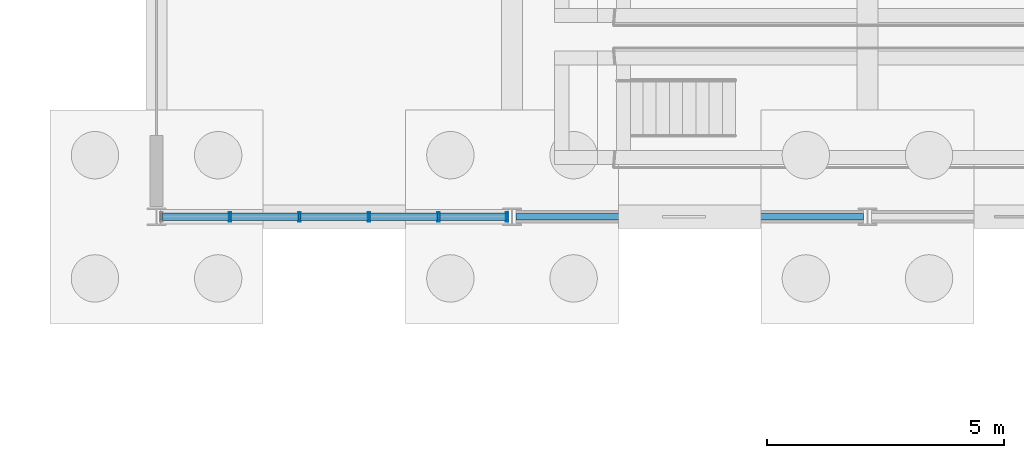
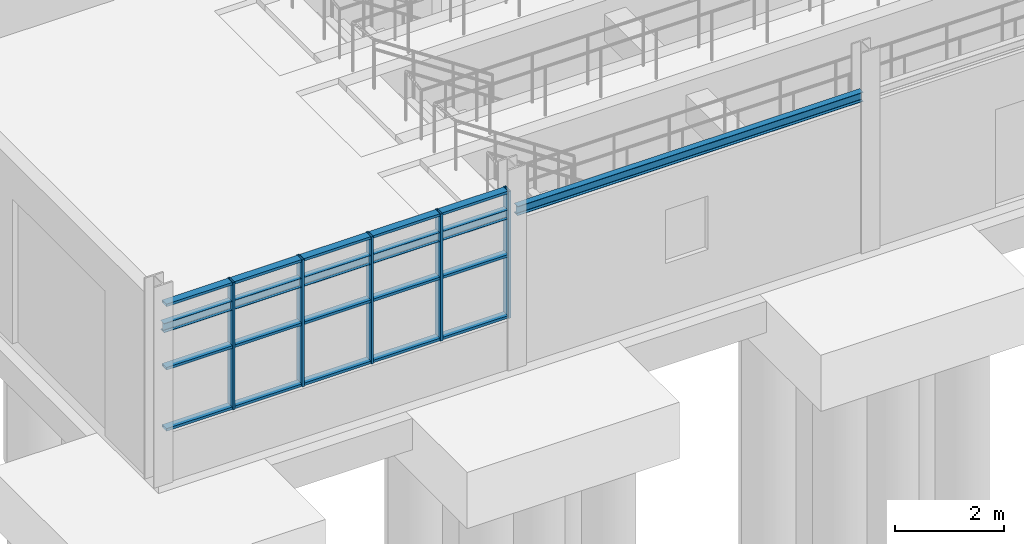
# One storey, part 41 of 136: 20 members, 2 beams, 1 element without a shape of its own.
"""IFC4 building model written with IfcOpenShell, lengths in metres."""

from ifc_helpers import new_model, si_unit, direction, frame, origin, origin_2d, place, context, subcontext, project, spatial, hollow_rectangle, i_section, extrude, material, layer, layer_set, material_profile, profile_set, type_object, element, aggregate, save


model = new_model("IFC4")

# Units and contexts
model_context = context("Model", 3, precision=1e-05, world=origin(), true_north=direction((0.0, 1.0)))
body_context = subcontext(model_context, "Body", "Model", "MODEL_VIEW")
ifc_project = project(units=[si_unit("LENGTHUNIT", "METRE"), si_unit("AREAUNIT", "SQUARE_METRE"), si_unit("VOLUMEUNIT", "CUBIC_METRE"), si_unit("PLANEANGLEUNIT", "RADIAN"), si_unit("MASSUNIT", "GRAM", prefix="KILO")], contexts=[model_context])

# Site, building, storey
site_placement = place(None, origin())
site = spatial("IfcSite", under=ifc_project, at=site_placement, CompositionType="ELEMENT")
building_placement = place(site_placement, origin())
building = spatial("IfcBuilding", under=site, at=building_placement, Name="Solvenia Promenade Tram Depot", CompositionType="ELEMENT")
storey_placement = place(building_placement, origin())
storey = spatial("IfcBuildingStorey", under=building, at=storey_placement, Name="L00", CompositionType="ELEMENT", Elevation=0.0)

# Curtain wall, members
ifc_material_1 = material(Name="Anodized aluminium AW-6063 T6", Category="aluminium")
ifc_layer = layer(ifc_material_1, 0.179931640625, Name="Anodized aluminium AW-6063 T6", Category="aluminium")
ifc_layer_set = layer_set([ifc_layer], Name="Anodized aluminium AW-6063 T6")
curtain_wall_type = type_object("IfcCurtainWallType", Name="CW-Solar-1500", PredefinedType="NOTDEFINED", material=ifc_layer_set)
curtain_wall_placement = place(storey_placement, origin())
curtain_wall = element("IfcCurtainWall", 1, at=curtain_wall_placement, inside=storey, type_object=curtain_wall_type, Name="Curtain Wall CW-V2S-L0-01", PredefinedType="NOTDEFINED")
ifc_material_profile_1 = material_profile(ifc_material_1, hollow_rectangle(XDim=0.199951171875, YDim=0.048095703125, WallThickness=0.00390625, at=origin_2d()), Name="ALU-M3", Category="aluminium")
ifc_profile_set_1 = profile_set([ifc_material_profile_1], Name="Anodized aluminium AW-6063 T6")
member_type_1 = type_object("IfcMemberType", Name="CWM-Mullion-3", PredefinedType="MULLION", material=ifc_profile_set_1)
member_1_placement = place(storey_placement, frame((106.548095703125, 24.0, 1.10009765625), z_axis=(0.0, 0.0, 1.0), x_axis=(0.0, 1.0, 0.0)))
member_1 = element("IfcMember", 2, at=member_1_placement, type_object=member_type_1, Name="CW-7 mullion 2", PredefinedType="MULLION", context=body_context, shape_type="SweptSolid", body=[
    extrude(hollow_rectangle(XDim=0.199951171875, YDim=0.048095703125, WallThickness=0.00390625, at=origin_2d()), origin(), (0.0, 0.0, 1.0), 2.849853515625),
])
member_2_placement = place(storey_placement, frame((108.01611328125, 24.0, 1.10009765625), z_axis=(0.0, 0.0, 1.0), x_axis=(0.0, 1.0, 0.0)))
member_2 = element("IfcMember", 3, at=member_2_placement, type_object=member_type_1, Name="CW-7 mullion 3", PredefinedType="MULLION", context=body_context, shape_type="SweptSolid", body=[
    extrude(hollow_rectangle(XDim=0.199951171875, YDim=0.048095703125, WallThickness=0.00390625, at=origin_2d()), origin(), (0.0, 0.0, 1.0), 2.849853515625),
])
member_3_placement = place(storey_placement, frame((109.48388671875, 24.0, 1.10009765625), z_axis=(0.0, 0.0, 1.0), x_axis=(0.0, 1.0, 0.0)))
member_3 = element("IfcMember", 4, at=member_3_placement, type_object=member_type_1, Name="CW-7 mullion 4", PredefinedType="MULLION", context=body_context, shape_type="SweptSolid", body=[
    extrude(hollow_rectangle(XDim=0.199951171875, YDim=0.048095703125, WallThickness=0.00390625, at=origin_2d()), origin(), (0.0, 0.0, 1.0), 2.849853515625),
])
member_4_placement = place(storey_placement, frame((110.951904296875, 24.0, 1.10009765625), z_axis=(0.0, 0.0, 1.0), x_axis=(0.0, 1.0, 0.0)))
member_4 = element("IfcMember", 5, at=member_4_placement, type_object=member_type_1, Name="CW-7 mullion 5", PredefinedType="MULLION", context=body_context, shape_type="SweptSolid", body=[
    extrude(hollow_rectangle(XDim=0.199951171875, YDim=0.048095703125, WallThickness=0.00390625, at=origin_2d()), origin(), (0.0, 0.0, 1.0), 2.849853515625),
])
member_5_placement = place(storey_placement, frame((112.39599609375, 24.0, 1.10009765625), z_axis=(0.0, 0.0, 1.0), x_axis=(0.0, 1.0, 0.0)))
member_5 = element("IfcMember", 6, at=member_5_placement, type_object=member_type_1, Name="CW-7 mullion 6", PredefinedType="MULLION", context=body_context, shape_type="SweptSolid", body=[
    extrude(hollow_rectangle(XDim=0.199951171875, YDim=0.048095703125, WallThickness=0.00390625, at=origin_2d()), origin(), (0.0, 0.0, 1.0), 2.849853515625),
])
ifc_material_profile_2 = material_profile(ifc_material_1, hollow_rectangle(XDim=0.159912109375, YDim=0.05810546875, WallThickness=0.00390625, at=origin_2d()), Name="ALU-T3", Category="aluminium")
ifc_profile_set_2 = profile_set([ifc_material_profile_2], Name="Anodized aluminium AW-6063 T6")
member_type_2 = type_object("IfcMemberType", Name="CWT-Transom-3", PredefinedType="USERDEFINED", material=ifc_profile_set_2)
member_6_placement = place(storey_placement, frame((105.1279296875, 24.0, 1.12890625), z_axis=(1.0, 0.0, 0.0), x_axis=(0.0, 1.0, 0.0)))
member_6 = element("IfcMember", 7, at=member_6_placement, type_object=member_type_2, Name="CW-7 transom 1.1", ObjectType="TRANSOM", PredefinedType="USERDEFINED", context=body_context, shape_type="SweptSolid", body=[
    extrude(hollow_rectangle(XDim=0.159912109375, YDim=0.05810546875, WallThickness=0.00390625, at=origin_2d()), origin(), (0.0, 0.0, 1.0), 1.39599609375),
])
member_7_placement = place(storey_placement, frame((105.1279296875, 24.0, 2.5), z_axis=(1.0, 0.0, 0.0), x_axis=(0.0, 1.0, 0.0)))
member_7 = element("IfcMember", 8, at=member_7_placement, type_object=member_type_2, Name="CW-7 transom 1.2", ObjectType="TRANSOM", PredefinedType="USERDEFINED", context=body_context, shape_type="SweptSolid", body=[
    extrude(hollow_rectangle(XDim=0.159912109375, YDim=0.05810546875, WallThickness=0.00390625, at=origin_2d()), origin(), (0.0, 0.0, 1.0), 1.39599609375),
])
member_8_placement = place(storey_placement, frame((105.1279296875, 24.0, 3.9208984375), z_axis=(1.0, 0.0, 0.0), x_axis=(0.0, 1.0, 0.0)))
member_8 = element("IfcMember", 9, at=member_8_placement, type_object=member_type_2, Name="CW-7 transom 1.3", ObjectType="TRANSOM", PredefinedType="USERDEFINED", context=body_context, shape_type="SweptSolid", body=[
    extrude(hollow_rectangle(XDim=0.159912109375, YDim=0.05810546875, WallThickness=0.00390625, at=origin_2d()), origin(), (0.0, 0.0, 1.0), 1.39599609375),
])
member_9_placement = place(storey_placement, frame((106.572021484375, 24.0, 1.12890625), z_axis=(1.0, 0.0, 0.0), x_axis=(0.0, 1.0, 0.0)))
member_9 = element("IfcMember", 10, at=member_9_placement, type_object=member_type_2, Name="CW-7 transom 2.1", ObjectType="TRANSOM", PredefinedType="USERDEFINED", context=body_context, shape_type="SweptSolid", body=[
    extrude(hollow_rectangle(XDim=0.159912109375, YDim=0.05810546875, WallThickness=0.00390625, at=origin_2d()), origin(), (0.0, 0.0, 1.0), 1.419921875),
])
member_10_placement = place(storey_placement, frame((106.572021484375, 24.0, 2.5), z_axis=(1.0, 0.0, 0.0), x_axis=(0.0, 1.0, 0.0)))
member_10 = element("IfcMember", 11, at=member_10_placement, type_object=member_type_2, Name="CW-7 transom 2.2", ObjectType="TRANSOM", PredefinedType="USERDEFINED", context=body_context, shape_type="SweptSolid", body=[
    extrude(hollow_rectangle(XDim=0.159912109375, YDim=0.05810546875, WallThickness=0.00390625, at=origin_2d()), origin(), (0.0, 0.0, 1.0), 1.419921875),
])
member_11_placement = place(storey_placement, frame((106.572021484375, 24.0, 3.9208984375), z_axis=(1.0, 0.0, 0.0), x_axis=(0.0, 1.0, 0.0)))
member_11 = element("IfcMember", 12, at=member_11_placement, type_object=member_type_2, Name="CW-7 transom 2.3", ObjectType="TRANSOM", PredefinedType="USERDEFINED", context=body_context, shape_type="SweptSolid", body=[
    extrude(hollow_rectangle(XDim=0.159912109375, YDim=0.05810546875, WallThickness=0.00390625, at=origin_2d()), origin(), (0.0, 0.0, 1.0), 1.419921875),
])
member_12_placement = place(storey_placement, frame((108.0400390625, 24.0, 1.12890625), z_axis=(1.0, 0.0, 0.0), x_axis=(0.0, 1.0, 0.0)))
member_12 = element("IfcMember", 13, at=member_12_placement, type_object=member_type_2, Name="CW-7 transom 3.1", ObjectType="TRANSOM", PredefinedType="USERDEFINED", context=body_context, shape_type="SweptSolid", body=[
    extrude(hollow_rectangle(XDim=0.159912109375, YDim=0.05810546875, WallThickness=0.00390625, at=origin_2d()), origin(), (0.0, 0.0, 1.0), 1.419921875),
])
member_13_placement = place(storey_placement, frame((108.0400390625, 24.0, 2.5), z_axis=(1.0, 0.0, 0.0), x_axis=(0.0, 1.0, 0.0)))
member_13 = element("IfcMember", 14, at=member_13_placement, type_object=member_type_2, Name="CW-7 transom 3.2", ObjectType="TRANSOM", PredefinedType="USERDEFINED", context=body_context, shape_type="SweptSolid", body=[
    extrude(hollow_rectangle(XDim=0.159912109375, YDim=0.05810546875, WallThickness=0.00390625, at=origin_2d()), origin(), (0.0, 0.0, 1.0), 1.419921875),
])
member_14_placement = place(storey_placement, frame((108.0400390625, 24.0, 3.9208984375), z_axis=(1.0, 0.0, 0.0), x_axis=(0.0, 1.0, 0.0)))
member_14 = element("IfcMember", 15, at=member_14_placement, type_object=member_type_2, Name="CW-7 transom 3.3", ObjectType="TRANSOM", PredefinedType="USERDEFINED", context=body_context, shape_type="SweptSolid", body=[
    extrude(hollow_rectangle(XDim=0.159912109375, YDim=0.05810546875, WallThickness=0.00390625, at=origin_2d()), origin(), (0.0, 0.0, 1.0), 1.419921875),
])
member_15_placement = place(storey_placement, frame((109.508056640625, 24.0, 1.12890625), z_axis=(1.0, 0.0, 0.0), x_axis=(0.0, 1.0, 0.0)))
member_15 = element("IfcMember", 16, at=member_15_placement, type_object=member_type_2, Name="CW-7 transom 4.1", ObjectType="TRANSOM", PredefinedType="USERDEFINED", context=body_context, shape_type="SweptSolid", body=[
    extrude(hollow_rectangle(XDim=0.159912109375, YDim=0.05810546875, WallThickness=0.00390625, at=origin_2d()), origin(), (0.0, 0.0, 1.0), 1.419921875),
])
member_16_placement = place(storey_placement, frame((109.508056640625, 24.0, 2.5), z_axis=(1.0, 0.0, 0.0), x_axis=(0.0, 1.0, 0.0)))
member_16 = element("IfcMember", 17, at=member_16_placement, type_object=member_type_2, Name="CW-7 transom 4.2", ObjectType="TRANSOM", PredefinedType="USERDEFINED", context=body_context, shape_type="SweptSolid", body=[
    extrude(hollow_rectangle(XDim=0.159912109375, YDim=0.05810546875, WallThickness=0.00390625, at=origin_2d()), origin(), (0.0, 0.0, 1.0), 1.419921875),
])
member_17_placement = place(storey_placement, frame((109.508056640625, 24.0, 3.9208984375), z_axis=(1.0, 0.0, 0.0), x_axis=(0.0, 1.0, 0.0)))
member_17 = element("IfcMember", 18, at=member_17_placement, type_object=member_type_2, Name="CW-7 transom 4.3", ObjectType="TRANSOM", PredefinedType="USERDEFINED", context=body_context, shape_type="SweptSolid", body=[
    extrude(hollow_rectangle(XDim=0.159912109375, YDim=0.05810546875, WallThickness=0.00390625, at=origin_2d()), origin(), (0.0, 0.0, 1.0), 1.419921875),
])
member_18_placement = place(storey_placement, frame((110.97607421875, 24.0, 1.12890625), z_axis=(1.0, 0.0, 0.0), x_axis=(0.0, 1.0, 0.0)))
member_18 = element("IfcMember", 19, at=member_18_placement, type_object=member_type_2, Name="CW-7 transom 5.1", ObjectType="TRANSOM", PredefinedType="USERDEFINED", context=body_context, shape_type="SweptSolid", body=[
    extrude(hollow_rectangle(XDim=0.159912109375, YDim=0.05810546875, WallThickness=0.00390625, at=origin_2d()), origin(), (0.0, 0.0, 1.0), 1.39599609375),
])
member_19_placement = place(storey_placement, frame((110.97607421875, 24.0, 2.5), z_axis=(1.0, 0.0, 0.0), x_axis=(0.0, 1.0, 0.0)))
member_19 = element("IfcMember", 20, at=member_19_placement, type_object=member_type_2, Name="CW-7 transom 5.2", ObjectType="TRANSOM", PredefinedType="USERDEFINED", context=body_context, shape_type="SweptSolid", body=[
    extrude(hollow_rectangle(XDim=0.159912109375, YDim=0.05810546875, WallThickness=0.00390625, at=origin_2d()), origin(), (0.0, 0.0, 1.0), 1.39599609375),
])
member_20_placement = place(storey_placement, frame((110.97607421875, 24.0, 3.9208984375), z_axis=(1.0, 0.0, 0.0), x_axis=(0.0, 1.0, 0.0)))
member_20 = element("IfcMember", 21, at=member_20_placement, type_object=member_type_2, Name="CW-7 transom 5.3", ObjectType="TRANSOM", PredefinedType="USERDEFINED", context=body_context, shape_type="SweptSolid", body=[
    extrude(hollow_rectangle(XDim=0.159912109375, YDim=0.05810546875, WallThickness=0.00390625, at=origin_2d()), origin(), (0.0, 0.0, 1.0), 1.39599609375),
])
aggregate(curtain_wall, [member_1, member_2, member_3, member_4, member_5, member_6, member_7, member_8, member_9, member_10, member_11, member_12, member_13, member_14, member_15, member_16, member_17, member_18, member_19, member_20])

# Beams
ifc_material_2 = material(Name="Structural steel ASTM A992 Gr. 50", Category="steel")
ifc_material_profile_3 = material_profile(ifc_material_2, i_section(OverallWidth=0.133056640625, OverallDepth=0.20703125, WebThickness=0.005859375, FlangeThickness=0.00830078125, FilletRadius=0.009033203125, at=origin_2d()), Name="W200x27", Category="steel")
ifc_profile_set_3 = profile_set([ifc_material_profile_3], Name="Structural steel ASTM A992 Gr. 50")
beam_type = type_object("IfcBeamType", Name="Lintel-W200x27", PredefinedType="LINTEL", material=ifc_profile_set_3)
for number, where, z_axis, x_axis, name in (
    (22, (105.0849609375, 24.0, 3.41650390625), (1.0, 0.0, 0.0), (0.0, 1.0, 0.0), "Workshop Bay Lintel 1 BM-L00-0944"),
    (23, (112.5849609375, 24.0, 3.41650390625), (1.0, 0.0, 0.0), (0.0, 1.0, 0.0), "Workshop Bay Lintel 2 BM-L00-0945"),
):
    element("IfcBeam", number, at=place(storey_placement, frame(where, z_axis=z_axis, x_axis=x_axis)), inside=storey, type_object=beam_type, Name=name, PredefinedType="LINTEL", context=body_context, shape_type="SweptSolid", body=[
        extrude(i_section(OverallWidth=0.133056640625, OverallDepth=0.20703125, WebThickness=0.005859375, FlangeThickness=0.00830078125, FilletRadius=0.009033203125, at=origin_2d()), origin(), (0.0, 0.0, 1.0), 7.330078125),
    ])

save(model, "model.ifc")
